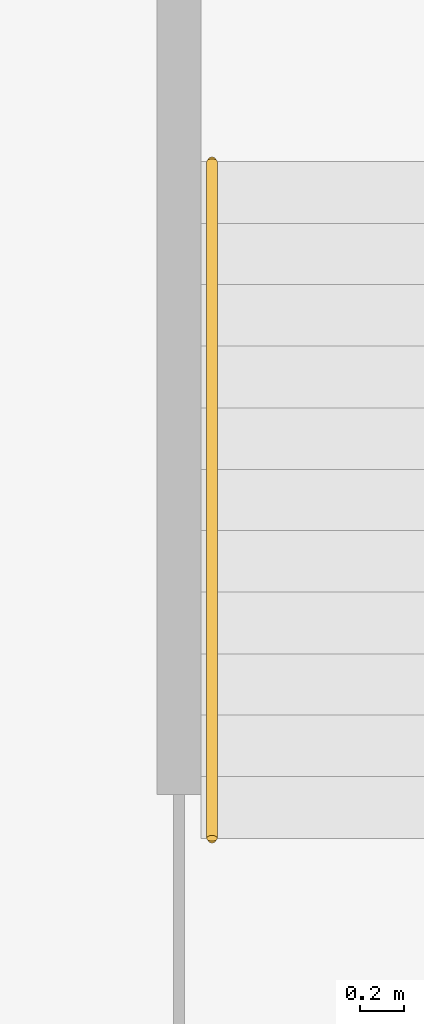
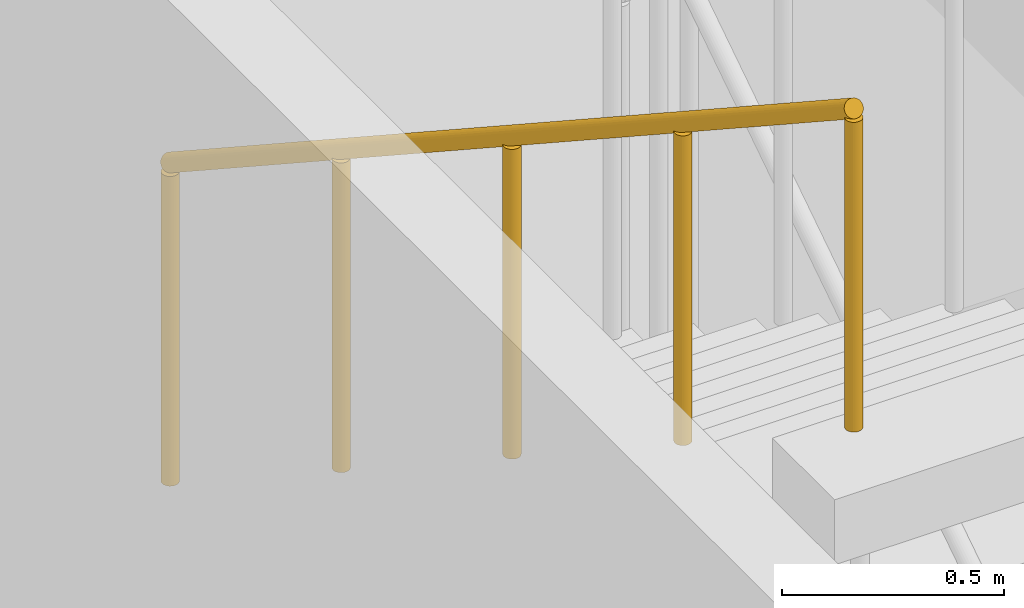
# One storey, part 21 of 24: 1 railing.
"""IFC4 building model written with IfcOpenShell, lengths in metres."""

import ifcopenshell
import ifcopenshell.guid

model = None  # the IFC model being written
_history = None  # IfcOwnerHistory: only IFC2X3 demands one
_inside = {}  # id of a spatial element -> (the spatial element, [elements in it])
_under = {}  # id of a project, library or spatial element -> (it, [spatial elements below it])
_declared = {}  # id of a project -> (the project, [libraries it declares])
_typed = {}  # id of a type object -> (the type object, [elements of that type])
_made_of = {}  # id of a material, layer set ... -> (it, [elements and type objects made of it])


def new_model(schema):
    """Start an empty IFC model of exactly this schema.

    Asked for "IFC4X3", IfcOpenShell would pick the latest addendum, in which some entities
    have other attributes; the version numbers below select the first issue.
    IFC2X3 requires an IfcOwnerHistory on every rooted entity: one is made here for all.
    """
    global model, _history
    if schema == "IFC4X3":
        model = ifcopenshell.file(schema_version=(4, 3, 0, 0))
    else:
        model = ifcopenshell.file(schema=schema)
    _inside.clear()
    _under.clear()
    _declared.clear()
    _typed.clear()
    _made_of.clear()
    _history = None
    if model.schema == "IFC2X3":
        org = make("IfcOrganization", Name="unknown")
        user = make(
            "IfcPersonAndOrganization",
            ThePerson=make("IfcPerson", FamilyName="unknown"),
            TheOrganization=org,
        )
        app = make(
            "IfcApplication",
            ApplicationDeveloper=org,
            Version="unknown",
            ApplicationFullName="unknown",
            ApplicationIdentifier="unknown",
        )
        _history = make(
            "IfcOwnerHistory",
            OwningUser=user,
            OwningApplication=app,
            ChangeAction="ADDED",
            CreationDate=0,
        )
    return model


def make(cls, **values):
    """One entity of the class cls with the attributes given. An attribute that is None is left unset."""
    return model.create_entity(
        cls, **{name: value for name, value in values.items() if value is not None}
    )


def rooted(cls, **values):
    """An entity with a GlobalId (a new one), such as an element, a storey or a relation."""
    return make(cls, GlobalId=ifcopenshell.guid.new(), OwnerHistory=_history, **values)


def si_unit(unit_type, name, prefix=None):
    """IfcSIUnit, for example si_unit("LENGTHUNIT", "METRE", prefix="MILLI")."""
    return make("IfcSIUnit", UnitType=unit_type, Prefix=prefix, Name=name)


def assignment(units):
    """IfcUnitAssignment: the units of a project."""
    return None if units is None else make("IfcUnitAssignment", Units=units)


def point(xyz):
    """IfcCartesianPoint."""
    return None if xyz is None else make("IfcCartesianPoint", Coordinates=xyz)


def direction(xyz):
    """IfcDirection."""
    return None if xyz is None else make("IfcDirection", DirectionRatios=xyz)


def frame(location, z_axis=None, x_axis=None):
    """IfcAxis2Placement3D, a coordinate frame: its origin and axes. An axis left out is left unset."""
    return make(
        "IfcAxis2Placement3D",
        Location=point(location),
        Axis=direction(z_axis),
        RefDirection=direction(x_axis),
    )


def frame_2d(location, x_axis=None):
    """IfcAxis2Placement2D, a coordinate frame in the plane: its origin and x axis."""
    return make(
        "IfcAxis2Placement2D", Location=point(location), RefDirection=direction(x_axis)
    )


def origin():
    """The frame at (0, 0, 0) with its axes left unset."""
    return frame((0.0, 0.0, 0.0))


def origin_2d():
    """The frame at (0, 0) in the plane with its x axis left unset."""
    return frame_2d((0.0, 0.0))


def place(relative_to, where):
    """IfcLocalPlacement: puts the frame where relative to a parent placement (None: the world)."""
    return make(
        "IfcLocalPlacement", PlacementRelTo=relative_to, RelativePlacement=where
    )


def context(
    kind, dimensions, precision=None, world=None, true_north=None, identifier=None
):
    """IfcGeometricRepresentationContext, for example the 3D "Model" context."""
    return make(
        "IfcGeometricRepresentationContext",
        ContextIdentifier=identifier,
        ContextType=kind,
        CoordinateSpaceDimension=dimensions,
        Precision=precision,
        WorldCoordinateSystem=world,
        TrueNorth=true_north,
    )


def subcontext(parent, identifier, kind, view, scale=None):
    """IfcGeometricRepresentationSubContext, for example "Body" below "Model"."""
    return make(
        "IfcGeometricRepresentationSubContext",
        ContextIdentifier=identifier,
        ContextType=kind,
        ParentContext=parent,
        TargetScale=scale,
        TargetView=view,
    )


def project(units=None, contexts=None):
    """IfcProject with its units and contexts."""
    return rooted(
        "IfcProject",
        Name="project",
        RepresentationContexts=contexts,
        UnitsInContext=assignment(units),
    )


def spatial(cls, under=None, at=None, **own):
    """A site, building, storey or space (cls), placed at a placement, below another one or the project."""
    s = rooted(cls, ObjectPlacement=at, **own)
    if under is not None:
        _under.setdefault(under.id(), (under, []))[1].append(s)
    return s


def profile(cls, at=None, kind="AREA", **sizes):
    """A parametric profile (cls). Its sizes go by their IFC names, for example OverallWidth=200.0."""
    return make(cls, ProfileType=kind, Position=at, **sizes)


def circle(**sizes):
    """IfcCircleProfileDef."""
    return profile("IfcCircleProfileDef", **sizes)


def extrude(swept, where, along, depth):
    """IfcExtrudedAreaSolid: the profile swept, set in the frame where, extruded along a direction by depth."""
    return make(
        "IfcExtrudedAreaSolid",
        SweptArea=swept,
        Position=where,
        ExtrudedDirection=direction(along),
        Depth=depth,
    )


def shape(context_of_items, identifier, shape_type, items):
    """IfcShapeRepresentation: the items that make up one representation, for example the "Body"."""
    return make(
        "IfcShapeRepresentation",
        ContextOfItems=context_of_items,
        RepresentationIdentifier=identifier,
        RepresentationType=shape_type,
        Items=items,
    )


def material(Name=None, Category=None):
    """IfcMaterial."""
    return make("IfcMaterial", Name=Name, Category=Category)


def made_of(thing, what):
    """Note that an element or type object is made of a material, layer set ...; save() writes the relation."""
    if what is not None:
        _made_of.setdefault(what.id(), (what, []))[1].append(thing)
    return thing


def type_object(cls, material=None, **own):
    """A type object (cls), such as IfcWallType, which elements share."""
    return made_of(rooted(cls, **own), material)


def element(
    cls,
    number,
    at=None,
    inside=None,
    cuts=None,
    type_object=None,
    material=None,
    context=None,
    identifier="Body",
    shape_type=None,
    held_by="IfcProductDefinitionShape",
    body=None,
    shapes=None,
    **own,
):
    """One element of the class cls, such as IfcWall. Its Tag is "e" and its number.

    at: its placement. inside: the storey or other place that contains it. cuts: it is an
    opening in that element (IfcRelVoidsElement). A single representation is given by context,
    identifier, shape_type and body (its items); several are given by shapes. held_by: the class
    of the entity that holds the representations. save() writes the other relations.
    """
    e = rooted(cls, Tag="e%d" % number, ObjectPlacement=at, **own)
    if body is not None:
        shapes = [shape(context, identifier, shape_type, body)]
    if shapes is not None:
        e.Representation = make(held_by, Representations=shapes)
    if inside is not None:
        _inside.setdefault(inside.id(), (inside, []))[1].append(e)
    if cuts is not None:
        rooted(
            "IfcRelVoidsElement", RelatingBuildingElement=cuts, RelatedOpeningElement=e
        )
    if type_object is not None:
        _typed.setdefault(type_object.id(), (type_object, []))[1].append(e)
    return made_of(e, material)


def aggregate(whole, parts):
    """IfcRelAggregates: a whole, such as a stair, and the parts it consists of."""
    return rooted("IfcRelAggregates", RelatingObject=whole, RelatedObjects=parts)


def save(model, path):
    """Write the relations noted so far, then the file.

    IfcRelAggregates (storeys below a building ...), IfcRelContainedInSpatialStructure (elements
    in a storey), IfcRelDefinesByType, IfcRelAssociatesMaterial and IfcRelDeclares: one each for
    every whole, place, type object, material and project.
    """
    for whole, parts in _under.values():
        aggregate(whole, parts)
    for where, things in _inside.values():
        rooted(
            "IfcRelContainedInSpatialStructure",
            RelatedElements=things,
            RelatingStructure=where,
        )
    for kind, things in _typed.values():
        rooted("IfcRelDefinesByType", RelatedObjects=things, RelatingType=kind)
    for what, things in _made_of.values():
        rooted("IfcRelAssociatesMaterial", RelatedObjects=things, RelatingMaterial=what)
    for by, libraries in _declared.values():
        rooted("IfcRelDeclares", RelatingContext=by, RelatedDefinitions=libraries)
    model.write(path)


model = new_model("IFC4")

# Units and contexts
model_context = context("Model", 3, precision=1e-05, world=origin(), true_north=direction((0.0, 1.0)))
body_context = subcontext(model_context, "Body", "Model", "MODEL_VIEW")
ifc_project = project(units=[si_unit("LENGTHUNIT", "METRE"), si_unit("AREAUNIT", "SQUARE_METRE"), si_unit("VOLUMEUNIT", "CUBIC_METRE"), si_unit("PLANEANGLEUNIT", "RADIAN"), si_unit("MASSUNIT", "GRAM", prefix="KILO")], contexts=[model_context])

# Site, building, storey
site_placement = place(None, origin())
site = spatial("IfcSite", under=ifc_project, at=site_placement, CompositionType="ELEMENT")
building_placement = place(site_placement, origin())
building = spatial("IfcBuilding", under=site, at=building_placement, Name="Spindrift Exchange Tower", CompositionType="ELEMENT")
storey_placement = place(building_placement, frame((0.0, 0.0, 5.0)))
storey = spatial("IfcBuildingStorey", under=building, at=storey_placement, Name="L01", CompositionType="ELEMENT", Elevation=5.0)

# Railing
ifc_material = material(Name="Steel tubular handrail", Category="steel")
railing_type = type_object("IfcRailingType", Name="RL-STAIR-HAND", PredefinedType="HANDRAIL", material=ifc_material)
railing_placement = place(storey_placement, frame((84.550048828125, 49.030029296875, 2.38330078125)))
element("IfcRailing", 1, at=railing_placement, inside=storey, type_object=railing_type, Name="L01 ST5 stair handrail 2", PredefinedType="HANDRAIL", context=body_context, shape_type="SweptSolid", body=[
    extrude(circle(Radius=0.02392578125, at=origin_2d()), frame((0.0, 0.0, 0.8759765625), z_axis=(0.0, -0.836633000464, 0.547763838287), x_axis=(1.0, 0.0, 0.0)), (0.0, 0.0, 1.0), 3.681396484375),
    extrude(circle(Radius=0.02099609375, at=origin_2d()), origin(), (0.0, 0.0, 1.0), 0.851806640625),
    extrude(circle(Radius=0.02099609375, at=origin_2d()), frame((0.0, -0.77001953125, 0.504150390625)), (0.0, 0.0, 1.0), 0.851806640625),
    extrude(circle(Radius=0.02099609375, at=origin_2d()), frame((0.0, -1.5400390625, 1.00830078125)), (0.0, 0.0, 1.0), 0.851806640625),
    extrude(circle(Radius=0.02099609375, at=origin_2d()), frame((0.0, -2.31005859375, 1.512451171875)), (0.0, 0.0, 1.0), 0.851806640625),
    extrude(circle(Radius=0.02099609375, at=origin_2d()), frame((0.0, -3.080078125, 2.0166015625)), (0.0, 0.0, 1.0), 0.851806640625),
])

save(model, "model.ifc")
